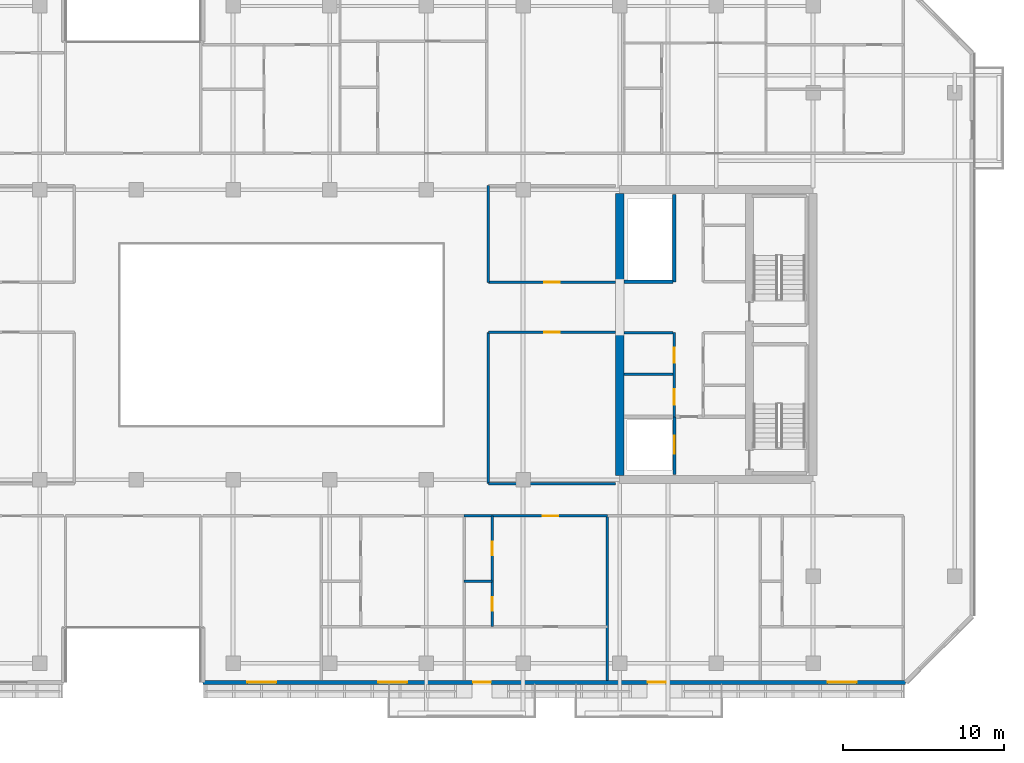
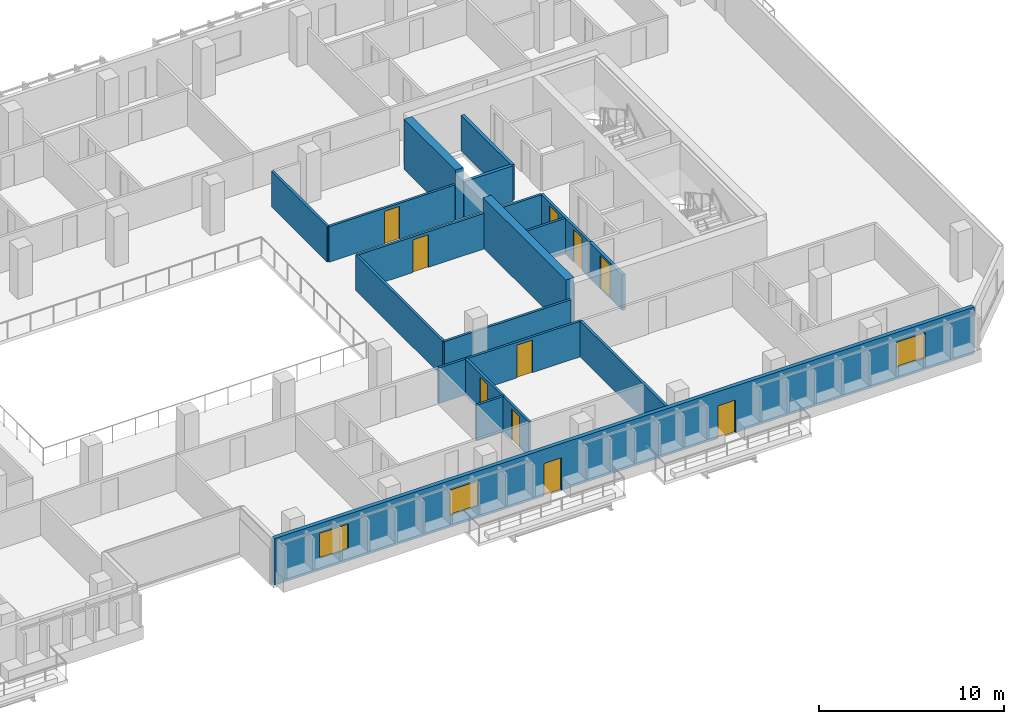
# One storey, part 11 of 21: 18 walls, 10 doors, 3 windows, 13 openings.
"""IFC4 building model written with IfcOpenShell, lengths in metres."""

from ifc_helpers import new_model, si_unit, direction, frame, frame_2d, origin, place, context, subcontext, project, spatial, rectangle, extrude, material, layer, layer_set, type_object, element, fill, save


model = new_model("IFC4")

# Units and contexts
model_context = context("Model", 3, precision=1e-05, world=origin(), true_north=direction((0.0, 1.0)))
body_context = subcontext(model_context, "Body", "Model", "MODEL_VIEW")
ifc_project = project(units=[si_unit("LENGTHUNIT", "METRE"), si_unit("AREAUNIT", "SQUARE_METRE"), si_unit("VOLUMEUNIT", "CUBIC_METRE"), si_unit("PLANEANGLEUNIT", "RADIAN"), si_unit("MASSUNIT", "GRAM", prefix="KILO")], contexts=[model_context])

# Site, building, storey
site_placement = place(None, origin())
site = spatial("IfcSite", under=ifc_project, at=site_placement, CompositionType="ELEMENT")
building_placement = place(site_placement, origin())
building = spatial("IfcBuilding", under=site, at=building_placement, Name="Tanjung Sevakor Pilgrim Tower", CompositionType="ELEMENT")
storey_placement = place(building_placement, frame((0.0, 0.0, 145.199951171875)))
storey = spatial("IfcBuildingStorey", under=building, at=storey_placement, Name="L40", CompositionType="ELEMENT", Elevation=145.199951171875)

# Walls
ifc_material_1 = material(Name="Concrete C60/75", Category="concrete")
ifc_layer_1 = layer(ifc_material_1, 0.5)
ifc_layer_set_1 = layer_set([ifc_layer_1], Name="WALL-CW-500")
wall_type_1 = type_object("IfcWallType", Name="WALL-CW-500", PredefinedType="SHEAR", material=ifc_layer_set_1)
wall_1_placement = place(storey_placement, frame((78.0, 24.85009765625, 0.0), z_axis=(0.0, 0.0, 1.0), x_axis=(0.0, 1.0, 0.0)))
element("IfcWall", 1, at=wall_1_placement, inside=storey, type_object=wall_type_1, Name="L40 E Core Inner Shear Wall South", PredefinedType="SHEAR", context=body_context, shape_type="SweptSolid", body=[
    extrude(rectangle(XDim=8.949951171875, YDim=0.5, at=frame_2d((4.47509765625, 0.0))), origin(), (0.0, 0.0, 1.0), 3.300048828125),
])
wall_2_placement = place(storey_placement, frame((78.0, 36.800048828125, 0.0), z_axis=(0.0, 0.0, 1.0), x_axis=(0.0, 1.0, 0.0)))
element("IfcWall", 2, at=wall_2_placement, inside=storey, type_object=wall_type_1, Name="L40 E Core Inner Shear Wall North", PredefinedType="SHEAR", context=body_context, shape_type="SweptSolid", body=[
    extrude(rectangle(XDim=5.550048828125, YDim=0.5, at=frame_2d((2.77490234375, 0.0))), origin(), (0.0, 0.0, 1.0), 3.300048828125),
])
ifc_material_2 = material(Name="Concrete C40/50", Category="concrete")
ifc_layer_2 = layer(ifc_material_2, 0.14990234375)
ifc_layer_set_2 = layer_set([ifc_layer_2], Name="WT-COMP-150")
wall_type_2 = type_object("IfcWallType", Name="WT-COMP-150", PredefinedType="SOLIDWALL", material=ifc_layer_set_2)
for number, where, z_axis, x_axis, name in (
    (3, (78.27001953125, 31.14990234375, 0.0), (0.0, 0.0, 1.0), (1.0, 0.0, 0.0), "L40 Partition IW-L40-019"),
    (4, (78.27001953125, 33.719970703125, 0.0), (0.0, 0.0, 1.0), (1.0, 0.0, 0.0), "L40 Partition IW-L40-020"),
):
    element("IfcWall", number, at=place(storey_placement, frame(where, z_axis=z_axis, x_axis=x_axis)), inside=storey, type_object=wall_type_2, Name=name, PredefinedType="SOLIDWALL", context=body_context, shape_type="SweptSolid", body=[
        extrude(rectangle(XDim=3.050048828125, YDim=0.14990234375, at=frame_2d((1.52490234375, 0.0))), origin(), (0.0, 0.0, 1.0), 2.35009765625),
    ])

# Wall, openings, doors
wall_3_placement = place(storey_placement, frame((81.3798828125, 28.5, 0.0), z_axis=(0.0, 0.0, 1.0), x_axis=(0.0, 1.0, 0.0)))
wall_3 = element("IfcWall", 5, at=wall_3_placement, inside=storey, type_object=wall_type_2, Name="L40 Partition IW-L40-021", PredefinedType="SOLIDWALL", context=body_context, shape_type="SweptSolid", body=[
    extrude(rectangle(XDim=5.219970703125, YDim=0.14990234375, at=frame_2d((2.60986328125, 0.0))), origin(), (0.0, 0.0, 1.0), 2.35009765625),
])
opening_1_placement = place(wall_3_placement, frame((0.75, 0.0, 0.0)))
opening_1 = element("IfcOpeningElement", 6, at=opening_1_placement, cuts=wall_3, Name="Opening ID-FD2", PredefinedType="OPENING", context=body_context, shape_type="SweptSolid", body=[
    extrude(rectangle(XDim=0.949951171875, YDim=2.14990234375, at=frame_2d((0.47509765625, 1.074951171875))), frame((0.0, 0.0849609375, 0.0), z_axis=(0.0, -1.0, 0.0), x_axis=(1.0, 0.0, 0.0)), (0.0, 0.0, 1.0), 0.169921875),
])
opening_2_placement = place(wall_3_placement, frame((3.35009765625, 0.0, 0.0)))
opening_2 = element("IfcOpeningElement", 7, at=opening_2_placement, cuts=wall_3, Name="Opening ID-FD2", PredefinedType="OPENING", context=body_context, shape_type="SweptSolid", body=[
    extrude(rectangle(XDim=0.949951171875, YDim=2.14990234375, at=frame_2d((0.47509765625, 1.074951171875))), frame((0.0, 0.0849609375, 0.0), z_axis=(0.0, -1.0, 0.0), x_axis=(1.0, 0.0, 0.0)), (0.0, 0.0, 1.0), 0.169921875),
])
ifc_material_3 = material(Name="Fire-Rated Timber", Category="wood")
door_type_1 = type_object("IfcDoorType", Name="DT-FIRE-950", OperationType="NOTDEFINED", PredefinedType="DOOR", material=ifc_material_3)
door_1_placement = place(opening_1_placement, origin())
door_1 = element("IfcDoor", 8, at=door_1_placement, inside=storey, type_object=door_type_1, Name="L40 Accessible WC Door", OperationType="SINGLE_SWING_LEFT", OverallHeight=2.14990234375, OverallWidth=0.949951171875, PredefinedType="DOOR", context=body_context, shape_type="SweptSolid", body=[
    extrude(rectangle(XDim=0.949951171875, YDim=2.14990234375, at=frame_2d((0.47509765625, 1.074951171875))), frame((0.0, 0.02490234375, 0.0), z_axis=(0.0, -1.0, 0.0), x_axis=(1.0, 0.0, 0.0)), (0.0, 0.0, 1.0), 0.050048828125),
])
fill(opening_1, door_1)
door_2_placement = place(opening_2_placement, origin())
door_2 = element("IfcDoor", 9, at=door_2_placement, inside=storey, type_object=door_type_1, Name="L40 Core Service Door", OperationType="SINGLE_SWING_RIGHT", OverallHeight=2.14990234375, OverallWidth=0.949951171875, PredefinedType="DOOR", context=body_context, shape_type="SweptSolid", body=[
    extrude(rectangle(XDim=0.949951171875, YDim=2.14990234375, at=frame_2d((0.47509765625, 1.074951171875))), frame((0.0, 0.02490234375, 0.0), z_axis=(0.0, -1.0, 0.0), x_axis=(1.0, 0.0, 0.0)), (0.0, 0.0, 1.0), 0.050048828125),
])
fill(opening_2, door_2)

# Wall
wall_4_placement = place(storey_placement, frame((69.85009765625, 24.35009765625, 0.0), z_axis=(0.0, 0.0, 1.0), x_axis=(1.0, 0.0, 0.0)))
element("IfcWall", 10, at=wall_4_placement, inside=storey, type_object=wall_type_2, Name="L40 Partition IW-L40-033", PredefinedType="SOLIDWALL", context=body_context, shape_type="SweptSolid", body=[
    extrude(rectangle(XDim=7.8798828125, YDim=0.14990234375, at=frame_2d((3.93994140625, 0.0))), origin(), (0.0, 0.0, 1.0), 2.35009765625),
])

# Wall, opening, door
wall_5_placement = place(storey_placement, frame((69.85009765625, 33.75, 0.0), z_axis=(0.0, 0.0, 1.0), x_axis=(1.0, 0.0, 0.0)))
wall_5 = element("IfcWall", 11, at=wall_5_placement, inside=storey, type_object=wall_type_2, Name="L40 Partition IW-L40-034", PredefinedType="SOLIDWALL", context=body_context, shape_type="SweptSolid", body=[
    extrude(rectangle(XDim=7.8798828125, YDim=0.14990234375, at=frame_2d((3.93994140625, 0.0))), origin(), (0.0, 0.0, 1.0), 2.35009765625),
])
opening_3_placement = place(wall_5_placement, frame((3.465087890625, 0.0, 0.0)))
opening_3 = element("IfcOpeningElement", 12, at=opening_3_placement, cuts=wall_5, Name="Opening ID-RM1", PredefinedType="OPENING", context=body_context, shape_type="SweptSolid", body=[
    extrude(rectangle(XDim=0.949951171875, YDim=2.14990234375, at=frame_2d((0.47509765625, 1.074951171875))), frame((0.0, 0.0849609375, 0.0), z_axis=(0.0, -1.0, 0.0), x_axis=(1.0, 0.0, 0.0)), (0.0, 0.0, 1.0), 0.169921875),
])
ifc_material_4 = material(Name="Hardwood Timber", Category="wood")
door_type_2 = type_object("IfcDoorType", Name="DT-INT-950", OperationType="NOTDEFINED", PredefinedType="DOOR", material=ifc_material_4)
door_3_placement = place(opening_3_placement, origin())
door_3 = element("IfcDoor", 13, at=door_3_placement, inside=storey, type_object=door_type_2, Name="L40 East Inboard South Door", OperationType="SINGLE_SWING_LEFT", OverallHeight=2.14990234375, OverallWidth=0.949951171875, PredefinedType="DOOR", context=body_context, shape_type="SweptSolid", body=[
    extrude(rectangle(XDim=0.949951171875, YDim=2.14990234375, at=frame_2d((0.47509765625, 1.074951171875))), frame((0.0, 0.02490234375, 0.0), z_axis=(0.0, -1.0, 0.0), x_axis=(1.0, 0.0, 0.0)), (0.0, 0.0, 1.0), 0.050048828125),
])
fill(opening_3, door_3)

# Wall
wall_6_placement = place(storey_placement, frame((69.85009765625, 24.35009765625, 0.0), z_axis=(0.0, 0.0, 1.0), x_axis=(0.0, 1.0, 0.0)))
element("IfcWall", 14, at=wall_6_placement, inside=storey, type_object=wall_type_2, Name="L40 Partition IW-L40-035", PredefinedType="SOLIDWALL", context=body_context, shape_type="SweptSolid", body=[
    extrude(rectangle(XDim=9.39990234375, YDim=0.14990234375, at=frame_2d((4.699951171875, 0.0))), origin(), (0.0, 0.0, 1.0), 2.35009765625),
])

# Wall, opening, door
wall_7_placement = place(storey_placement, frame((69.85009765625, 36.85009765625, 0.0), z_axis=(0.0, 0.0, 1.0), x_axis=(1.0, 0.0, 0.0)))
wall_7 = element("IfcWall", 15, at=wall_7_placement, inside=storey, type_object=wall_type_2, Name="L40 Partition IW-L40-036", PredefinedType="SOLIDWALL", context=body_context, shape_type="SweptSolid", body=[
    extrude(rectangle(XDim=7.8798828125, YDim=0.14990234375, at=frame_2d((3.93994140625, 0.0))), origin(), (0.0, 0.0, 1.0), 2.35009765625),
])
opening_4_placement = place(wall_7_placement, frame((3.465087890625, 0.0, 0.0)))
opening_4 = element("IfcOpeningElement", 16, at=opening_4_placement, cuts=wall_7, Name="Opening ID-RM1", PredefinedType="OPENING", context=body_context, shape_type="SweptSolid", body=[
    extrude(rectangle(XDim=0.949951171875, YDim=2.14990234375, at=frame_2d((0.47509765625, 1.074951171875))), frame((0.0, 0.0849609375, 0.0), z_axis=(0.0, -1.0, 0.0), x_axis=(1.0, 0.0, 0.0)), (0.0, 0.0, 1.0), 0.169921875),
])
door_4_placement = place(opening_4_placement, origin())
door_4 = element("IfcDoor", 17, at=door_4_placement, inside=storey, type_object=door_type_2, Name="L40 East Inboard North Door", OperationType="SINGLE_SWING_RIGHT", OverallHeight=2.14990234375, OverallWidth=0.949951171875, PredefinedType="DOOR", context=body_context, shape_type="SweptSolid", body=[
    extrude(rectangle(XDim=0.949951171875, YDim=2.14990234375, at=frame_2d((0.47509765625, 1.074951171875))), frame((0.0, 0.02490234375, 0.0), z_axis=(0.0, -1.0, 0.0), x_axis=(1.0, 0.0, 0.0)), (0.0, 0.0, 1.0), 0.050048828125),
])
fill(opening_4, door_4)

# Walls
wall_8_placement = place(storey_placement, frame((69.85009765625, 36.85009765625, 0.0), z_axis=(0.0, 0.0, 1.0), x_axis=(0.0, 1.0, 0.0)))
element("IfcWall", 18, at=wall_8_placement, inside=storey, type_object=wall_type_2, Name="L40 Partition IW-L40-038", PredefinedType="SOLIDWALL", context=body_context, shape_type="SweptSolid", body=[
    extrude(rectangle(XDim=6.0, YDim=0.14990234375, at=frame_2d((3.0, 0.0))), origin(), (0.0, 0.0, 1.0), 2.35009765625),
])
wall_9_placement = place(storey_placement, frame((77.22802734375, 12.14990234375, 0.0), z_axis=(0.0, 0.0, 1.0), x_axis=(0.0, 1.0, 0.0)))
element("IfcWall", 19, at=wall_9_placement, inside=storey, type_object=wall_type_2, Name="L40 Partition IW-L40-064", PredefinedType="SOLIDWALL", context=body_context, shape_type="SweptSolid", body=[
    extrude(rectangle(XDim=10.2001953125, YDim=0.14990234375, at=frame_2d((5.10009765625, 0.0))), origin(), (0.0, 0.0, 1.0), 2.35009765625),
])

# Wall, opening, door
wall_10_placement = place(storey_placement, frame((68.348388671875, 22.35009765625, 0.0), z_axis=(0.0, 0.0, 1.0), x_axis=(1.0, 0.0, 0.0)))
wall_10 = element("IfcWall", 20, at=wall_10_placement, inside=storey, type_object=wall_type_2, Name="L40 Partition IW-L40-068", PredefinedType="SOLIDWALL", context=body_context, shape_type="SweptSolid", body=[
    extrude(rectangle(XDim=8.879638671875, YDim=0.14990234375, at=frame_2d((4.43994140625, 0.0))), origin(), (0.0, 0.0, 1.0), 2.35009765625),
])
opening_5_placement = place(wall_10_placement, frame((4.87060546875, 0.0, 0.0)))
opening_5 = element("IfcOpeningElement", 21, at=opening_5_placement, cuts=wall_10, Name="Opening ID-FD2", PredefinedType="OPENING", context=body_context, shape_type="SweptSolid", body=[
    extrude(rectangle(XDim=0.949951171875, YDim=2.14990234375, at=frame_2d((0.47509765625, 1.074951171875))), frame((0.0, 0.0849609375, 0.0), z_axis=(0.0, -1.0, 0.0), x_axis=(1.0, 0.0, 0.0)), (0.0, 0.0, 1.0), 0.169921875),
])
door_5_placement = place(opening_5_placement, origin())
door_5 = element("IfcDoor", 22, at=door_5_placement, inside=storey, type_object=door_type_1, Name="Residence Entrance", OperationType="SINGLE_SWING_LEFT", OverallHeight=2.14990234375, OverallWidth=0.949951171875, PredefinedType="DOOR", context=body_context, shape_type="SweptSolid", body=[
    extrude(rectangle(XDim=0.949951171875, YDim=2.14990234375, at=frame_2d((0.47509765625, 1.074951171875))), frame((0.0, 0.02490234375, 0.0), z_axis=(0.0, -1.0, 0.0), x_axis=(1.0, 0.0, 0.0)), (0.0, 0.0, 1.0), 0.050048828125),
])
fill(opening_5, door_5)

# Wall, openings, doors, windows
ifc_material_5 = material(Name="Precast concrete C45/55", Category="concrete")
ifc_layer_3 = layer(ifc_material_5, 0.25)
ifc_layer_set_3 = layer_set([ifc_layer_3], Name="WT-EW-STN3")
wall_type_3 = type_object("IfcWallType", Name="WT-EW-STN3", PredefinedType="SOLIDWALL", material=ifc_layer_set_3)
wall_11_placement = place(storey_placement, frame((52.125, 12.02490234375, 0.0), z_axis=(0.0, 0.0, 1.0), x_axis=(1.0, 0.0, 0.0)))
wall_11 = element("IfcWall", 23, at=wall_11_placement, inside=storey, type_object=wall_type_3, Name="L40 MAIN Exterior Wall 5", PredefinedType="SOLIDWALL", context=body_context, shape_type="SweptSolid", body=[
    extrude(rectangle(XDim=43.623291015625, YDim=0.25, at=frame_2d((21.8115234375, 0.0))), origin(), (0.0, 0.0, 1.0), 3.080078125),
])
opening_6_placement = place(wall_11_placement, frame((16.77490234375, 0.0, 0.0)))
opening_6 = element("IfcOpeningElement", 24, at=opening_6_placement, cuts=wall_11, Name="Opening ED-BAL-1100", PredefinedType="OPENING", context=body_context, shape_type="SweptSolid", body=[
    extrude(rectangle(XDim=1.10009765625, YDim=2.14990234375, at=frame_2d((0.550048828125, 1.074951171875))), frame((0.0, 0.135009765625, 0.0), z_axis=(0.0, -1.0, 0.0), x_axis=(1.0, 0.0, 0.0)), (0.0, 0.0, 1.0), 0.27001953125),
])
opening_7_placement = place(wall_11_placement, frame((27.625, 0.0, 0.0)))
opening_7 = element("IfcOpeningElement", 25, at=opening_7_placement, cuts=wall_11, Name="Opening ED-BAL-1100", PredefinedType="OPENING", context=body_context, shape_type="SweptSolid", body=[
    extrude(rectangle(XDim=1.10009765625, YDim=2.14990234375, at=frame_2d((0.550048828125, 1.074951171875))), frame((0.0, 0.135009765625, 0.0), z_axis=(0.0, -1.0, 0.0), x_axis=(1.0, 0.0, 0.0)), (0.0, 0.0, 1.0), 0.27001953125),
])
opening_8_placement = place(wall_11_placement, frame((2.769287109375, 0.0, 0.780029296875)))
opening_8 = element("IfcOpeningElement", 26, at=opening_8_placement, cuts=wall_11, Name="Opening WN-Z3-1660", PredefinedType="OPENING", context=body_context, shape_type="SweptSolid", body=[
    extrude(rectangle(XDim=1.800048828125, YDim=1.659912109375, at=frame_2d((0.89990234375, 0.830078125))), frame((0.0, 0.135009765625, 0.0), z_axis=(0.0, -1.0, 0.0), x_axis=(1.0, 0.0, 0.0)), (0.0, 0.0, 1.0), 0.27001953125),
])
opening_9_placement = place(wall_11_placement, frame((10.883544921875, 0.0, 0.780029296875)))
opening_9 = element("IfcOpeningElement", 27, at=opening_9_placement, cuts=wall_11, Name="Opening WN-Z3-1660", PredefinedType="OPENING", context=body_context, shape_type="SweptSolid", body=[
    extrude(rectangle(XDim=1.800048828125, YDim=1.659912109375, at=frame_2d((0.89990234375, 0.830078125))), frame((0.0, 0.135009765625, 0.0), z_axis=(0.0, -1.0, 0.0), x_axis=(1.0, 0.0, 0.0)), (0.0, 0.0, 1.0), 0.27001953125),
])
opening_10_placement = place(wall_11_placement, frame((38.775146484375, 0.0, 0.780029296875)))
opening_10 = element("IfcOpeningElement", 28, at=opening_10_placement, cuts=wall_11, Name="Opening WN-Z3-1660", PredefinedType="OPENING", context=body_context, shape_type="SweptSolid", body=[
    extrude(rectangle(XDim=1.800048828125, YDim=1.659912109375, at=frame_2d((0.89990234375, 0.830078125))), frame((0.0, 0.135009765625, 0.0), z_axis=(0.0, -1.0, 0.0), x_axis=(1.0, 0.0, 0.0)), (0.0, 0.0, 1.0), 0.27001953125),
])
ifc_material_6 = material(Name="Anodised Aluminium and Laminated Glass", Category="aluminium")
door_type_3 = type_object("IfcDoorType", Name="DTYP-ED-BAL-1100", OperationType="NOTDEFINED", PredefinedType="DOOR", material=ifc_material_6)
door_6_placement = place(opening_6_placement, frame((1.10009765625, 0.0, 0.0), z_axis=(0.0, 0.0, 1.0), x_axis=(-1.0, 0.0, 0.0)))
door_6 = element("IfcDoor", 29, at=door_6_placement, inside=storey, type_object=door_type_3, Name="L40 Balcony Door MAIN-S2", OperationType="SINGLE_SWING_LEFT", OverallHeight=2.14990234375, OverallWidth=1.10009765625, PredefinedType="DOOR", context=body_context, shape_type="SweptSolid", body=[
    extrude(rectangle(XDim=1.10009765625, YDim=2.14990234375, at=frame_2d((0.550048828125, 1.074951171875))), frame((0.0, 0.02490234375, 0.0), z_axis=(0.0, -1.0, 0.0), x_axis=(1.0, 0.0, 0.0)), (0.0, 0.0, 1.0), 0.050048828125),
])
fill(opening_6, door_6)
door_7_placement = place(opening_7_placement, frame((1.10009765625, 0.0, 0.0), z_axis=(0.0, 0.0, 1.0), x_axis=(-1.0, 0.0, 0.0)))
door_7 = element("IfcDoor", 30, at=door_7_placement, inside=storey, type_object=door_type_3, Name="L40 Balcony Door MAIN-S3", OperationType="SINGLE_SWING_RIGHT", OverallHeight=2.14990234375, OverallWidth=1.10009765625, PredefinedType="DOOR", context=body_context, shape_type="SweptSolid", body=[
    extrude(rectangle(XDim=1.10009765625, YDim=2.14990234375, at=frame_2d((0.550048828125, 1.074951171875))), frame((0.0, 0.02490234375, 0.0), z_axis=(0.0, -1.0, 0.0), x_axis=(1.0, 0.0, 0.0)), (0.0, 0.0, 1.0), 0.050048828125),
])
fill(opening_7, door_7)
ifc_material_7 = material(Name="Thermally Broken Aluminium and Low-E Glass", Category="aluminium")
window_type = type_object("IfcWindowType", Name="WTYP-WN-Z3-1660", PartitioningType="DOUBLE_PANEL_VERTICAL", PredefinedType="WINDOW", material=ifc_material_7)
window_1_placement = place(opening_8_placement, origin())
window_1 = element("IfcWindow", 31, at=window_1_placement, inside=storey, type_object=window_type, Name="L40 Facade Window 01", OverallHeight=1.659912109375, OverallWidth=1.800048828125, PartitioningType="SINGLE_PANEL", PredefinedType="WINDOW", context=body_context, shape_type="SweptSolid", body=[
    extrude(rectangle(XDim=1.800048828125, YDim=1.659912109375, at=frame_2d((0.89990234375, 0.830078125))), frame((0.0, 0.030029296875, 0.0), z_axis=(0.0, -1.0, 0.0), x_axis=(1.0, 0.0, 0.0)), (0.0, 0.0, 1.0), 0.06005859375),
])
fill(opening_8, window_1)
window_2_placement = place(opening_9_placement, origin())
window_2 = element("IfcWindow", 32, at=window_2_placement, inside=storey, type_object=window_type, Name="L40 Facade Window 02", OverallHeight=1.659912109375, OverallWidth=1.800048828125, PartitioningType="SINGLE_PANEL", PredefinedType="WINDOW", context=body_context, shape_type="SweptSolid", body=[
    extrude(rectangle(XDim=1.800048828125, YDim=1.659912109375, at=frame_2d((0.89990234375, 0.830078125))), frame((0.0, 0.030029296875, 0.0), z_axis=(0.0, -1.0, 0.0), x_axis=(1.0, 0.0, 0.0)), (0.0, 0.0, 1.0), 0.06005859375),
])
fill(opening_9, window_2)
window_3_placement = place(opening_10_placement, origin())
window_3 = element("IfcWindow", 33, at=window_3_placement, inside=storey, type_object=window_type, Name="L40 Facade Window 03", OverallHeight=1.659912109375, OverallWidth=1.800048828125, PartitioningType="SINGLE_PANEL", PredefinedType="WINDOW", context=body_context, shape_type="SweptSolid", body=[
    extrude(rectangle(XDim=1.800048828125, YDim=1.659912109375, at=frame_2d((0.89990234375, 0.830078125))), frame((0.0, 0.030029296875, 0.0), z_axis=(0.0, -1.0, 0.0), x_axis=(1.0, 0.0, 0.0)), (0.0, 0.0, 1.0), 0.06005859375),
])
fill(opening_10, window_3)

# Wall, opening, door
ifc_material_8 = material(Name="Concrete C40/50", Category="concrete")
ifc_layer_4 = layer(ifc_material_8, 0.199951171875)
ifc_layer_set_4 = layer_set([ifc_layer_4], Name="WT-FPRT-200")
wall_type_4 = type_object("IfcWallType", Name="WT-FPRT-200", PredefinedType="SOLIDWALL", material=ifc_layer_set_4)
wall_12_placement = place(storey_placement, frame((81.39990234375, 24.919921875, 0.0), z_axis=(0.0, 0.0, 1.0), x_axis=(0.0, 1.0, 0.0)))
wall_12 = element("IfcWall", 34, at=wall_12_placement, inside=storey, type_object=wall_type_4, Name="L40 Partition IW-L40-014", PredefinedType="SOLIDWALL", context=body_context, shape_type="SweptSolid", body=[
    extrude(rectangle(XDim=3.580078125, YDim=0.199951171875, at=frame_2d((1.7900390625, 0.0))), origin(), (0.0, 0.0, 1.0), 2.35009765625),
])
opening_11_placement = place(wall_12_placement, frame((1.300048828125, 0.0, 0.0)))
opening_11 = element("IfcOpeningElement", 35, at=opening_11_placement, cuts=wall_12, Name="Opening LD-1100", PredefinedType="OPENING", context=body_context, shape_type="SweptSolid", body=[
    extrude(rectangle(XDim=1.10009765625, YDim=2.199951171875, at=frame_2d((0.550048828125, 1.10009765625))), frame((0.0, 0.10986328125, 0.0), z_axis=(0.0, -1.0, 0.0), x_axis=(1.0, 0.0, 0.0)), (0.0, 0.0, 1.0), 0.219970703125),
])
ifc_material_9 = material(Name="Brushed Stainless Steel S355J2", Category="steel")
door_type_4 = type_object("IfcDoorType", Name="DT-LIFT-1100", OperationType="SLIDING_TO_LEFT", PredefinedType="DOOR", material=ifc_material_9)
door_8_placement = place(opening_11_placement, origin())
door_8 = element("IfcDoor", 36, at=door_8_placement, inside=storey, type_object=door_type_4, Name="LD-FL-E", OperationType="SLIDING_TO_LEFT", OverallHeight=2.199951171875, OverallWidth=1.10009765625, PredefinedType="DOOR", context=body_context, shape_type="SweptSolid", body=[
    extrude(rectangle(XDim=1.10009765625, YDim=2.199951171875, at=frame_2d((0.550048828125, 1.10009765625))), frame((0.0, 0.02490234375, 0.0), z_axis=(0.0, -1.0, 0.0), x_axis=(1.0, 0.0, 0.0)), (0.0, 0.0, 1.0), 0.050048828125),
])
fill(opening_11, door_8)

# Walls
wall_13_placement = place(storey_placement, frame((78.27001953125, 36.8798828125, 0.0), z_axis=(0.0, 0.0, 1.0), x_axis=(1.0, 0.0, 0.0)))
element("IfcWall", 37, at=wall_13_placement, inside=storey, type_object=wall_type_4, Name="L40 Partition IW-L40-025", PredefinedType="SOLIDWALL", context=body_context, shape_type="SweptSolid", body=[
    extrude(rectangle(XDim=3.050048828125, YDim=0.199951171875, at=frame_2d((1.52490234375, 0.0))), origin(), (0.0, 0.0, 1.0), 2.35009765625),
])
wall_14_placement = place(storey_placement, frame((81.3798828125, 36.8798828125, 0.0), z_axis=(0.0, 0.0, 1.0), x_axis=(0.0, 1.0, 0.0)))
element("IfcWall", 38, at=wall_14_placement, inside=storey, type_object=wall_type_4, Name="L40 Partition IW-L40-026", PredefinedType="SOLIDWALL", context=body_context, shape_type="SweptSolid", body=[
    extrude(rectangle(XDim=5.420166015625, YDim=0.199951171875, at=frame_2d((2.7099609375, 0.0))), origin(), (0.0, 0.0, 1.0), 2.35009765625),
])
ifc_material_10 = material(Name="Gypsum Board Partition", Category="gypsum board")
ifc_layer_5 = layer(ifc_material_10, 0.14990234375)
ifc_layer_set_5 = layer_set([ifc_layer_5], Name="WT-PART-150")
wall_type_5 = type_object("IfcWallType", Name="WT-PART-150", PredefinedType="PARTITIONING", material=ifc_layer_set_5)
wall_15_placement = place(storey_placement, frame((68.348388671875, 18.2919921875, 0.0), z_axis=(0.0, 0.0, 1.0), x_axis=(1.0, 0.0, 0.0)))
element("IfcWall", 39, at=wall_15_placement, inside=storey, type_object=wall_type_5, Name="L40 Partition IW-L40-065", PredefinedType="PARTITIONING", context=body_context, shape_type="SweptSolid", body=[
    extrude(rectangle(XDim=1.731689453125, YDim=0.14990234375, at=frame_2d((0.86572265625, 0.0))), origin(), (0.0, 0.0, 1.0), 2.35009765625),
])

# Wall, openings, doors
wall_16_placement = place(storey_placement, frame((70.080078125, 15.47216796875, 0.0), z_axis=(0.0, 0.0, 1.0), x_axis=(0.0, 1.0, 0.0)))
wall_16 = element("IfcWall", 40, at=wall_16_placement, inside=storey, type_object=wall_type_5, Name="L40 Partition IW-L40-066", PredefinedType="PARTITIONING", context=body_context, shape_type="SweptSolid", body=[
    extrude(rectangle(XDim=6.8779296875, YDim=0.14990234375, at=frame_2d((3.43896484375, 0.0))), origin(), (0.0, 0.0, 1.0), 2.35009765625),
])
opening_12_placement = place(wall_16_placement, frame((0.985107421875, 0.0, 0.0)))
opening_12 = element("IfcOpeningElement", 41, at=opening_12_placement, cuts=wall_16, Name="Opening ID-WC1", PredefinedType="OPENING", context=body_context, shape_type="SweptSolid", body=[
    extrude(rectangle(XDim=0.85009765625, YDim=2.10009765625, at=frame_2d((0.425048828125, 1.050048828125))), frame((0.0, 0.0849609375, 0.0), z_axis=(0.0, -1.0, 0.0), x_axis=(1.0, 0.0, 0.0)), (0.0, 0.0, 1.0), 0.169921875),
])
opening_13_placement = place(wall_16_placement, frame((4.423828125, 0.0, 0.0)))
opening_13 = element("IfcOpeningElement", 42, at=opening_13_placement, cuts=wall_16, Name="Opening ID-WC1", PredefinedType="OPENING", context=body_context, shape_type="SweptSolid", body=[
    extrude(rectangle(XDim=0.85009765625, YDim=2.10009765625, at=frame_2d((0.425048828125, 1.050048828125))), frame((0.0, 0.0849609375, 0.0), z_axis=(0.0, -1.0, 0.0), x_axis=(1.0, 0.0, 0.0)), (0.0, 0.0, 1.0), 0.169921875),
])
ifc_material_11 = material(Name="Moisture-Resistant Timber", Category="wood")
door_type_5 = type_object("IfcDoorType", Name="DT-INT-850", OperationType="NOTDEFINED", PredefinedType="DOOR", material=ifc_material_11)
door_9_placement = place(opening_12_placement, origin())
door_9 = element("IfcDoor", 43, at=door_9_placement, inside=storey, type_object=door_type_5, Name="Residence Bathroom Door", OperationType="SINGLE_SWING_RIGHT", OverallHeight=2.10009765625, OverallWidth=0.85009765625, PredefinedType="DOOR", context=body_context, shape_type="SweptSolid", body=[
    extrude(rectangle(XDim=0.85009765625, YDim=2.10009765625, at=frame_2d((0.425048828125, 1.050048828125))), frame((0.0, 0.02490234375, 0.0), z_axis=(0.0, -1.0, 0.0), x_axis=(1.0, 0.0, 0.0)), (0.0, 0.0, 1.0), 0.050048828125),
])
fill(opening_12, door_9)
door_10_placement = place(opening_13_placement, origin())
door_10 = element("IfcDoor", 44, at=door_10_placement, inside=storey, type_object=door_type_5, Name="Residence Kitchenette Door", OperationType="SINGLE_SWING_LEFT", OverallHeight=2.10009765625, OverallWidth=0.85009765625, PredefinedType="DOOR", context=body_context, shape_type="SweptSolid", body=[
    extrude(rectangle(XDim=0.85009765625, YDim=2.10009765625, at=frame_2d((0.425048828125, 1.050048828125))), frame((0.0, 0.02490234375, 0.0), z_axis=(0.0, -1.0, 0.0), x_axis=(1.0, 0.0, 0.0)), (0.0, 0.0, 1.0), 0.050048828125),
])
fill(opening_13, door_10)

save(model, "model.ifc")
